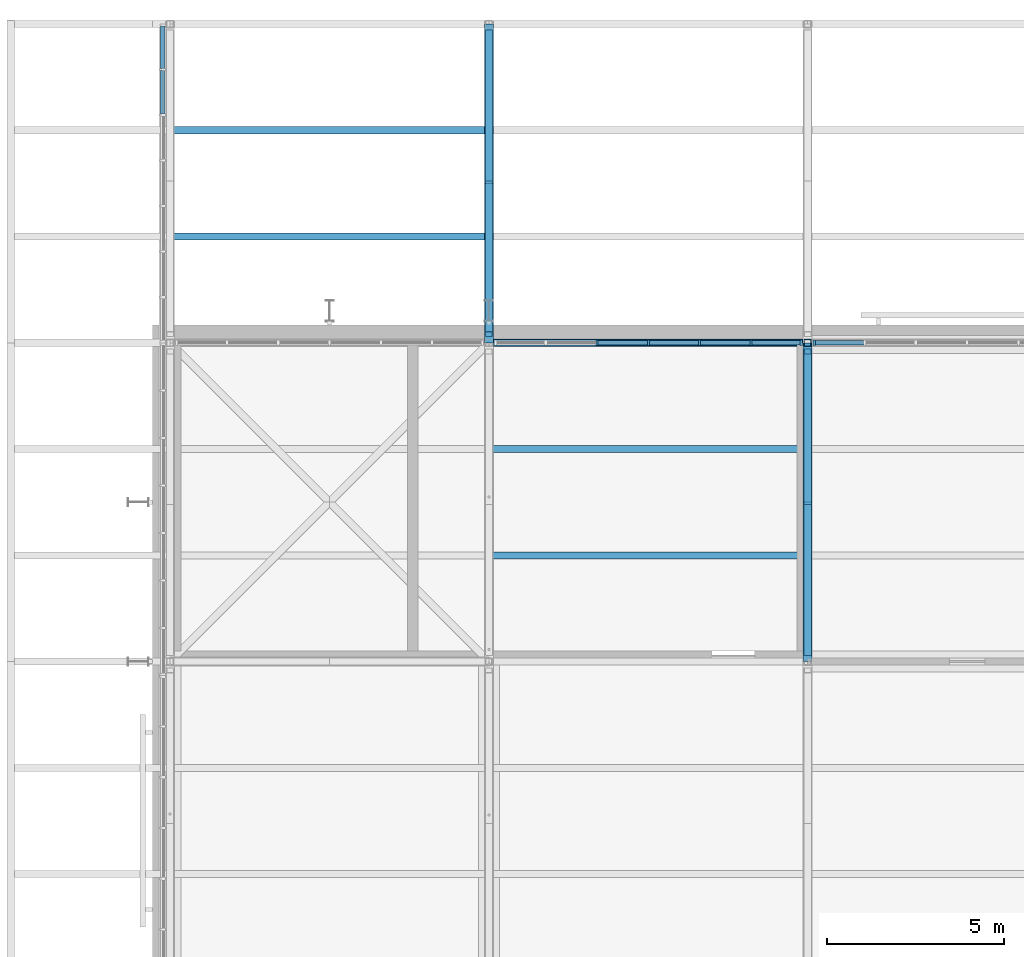
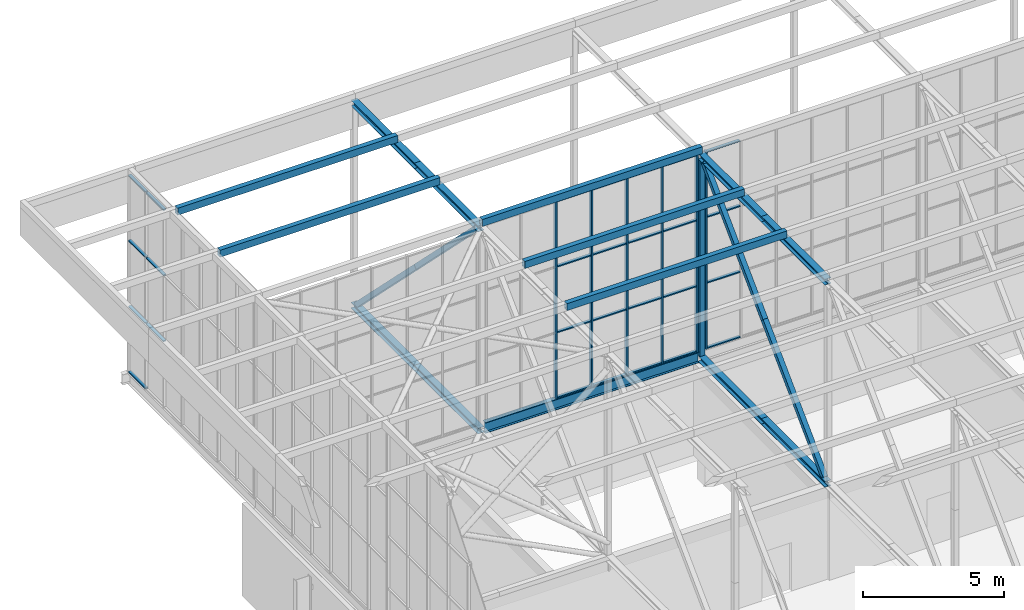
# One storey, part 114 of 646: 52 members, 1 beam, 3 elements without a shape of their own.
"""IFC4 building model written with IfcOpenShell, lengths in metres."""

from ifc_helpers import new_model, si_unit, direction, frame, origin, origin_2d, place, context, subcontext, project, spatial, rectangle, hollow_rectangle, i_section, extrude, material, material_profile, profile_set, type_object, element, aggregate, save


model = new_model("IFC4")

# Units and contexts
model_context = context("Model", 3, precision=1e-05, world=origin(), true_north=direction((0.0, 1.0)))
body_context = subcontext(model_context, "Body", "Model", "MODEL_VIEW")
ifc_project = project(units=[si_unit("LENGTHUNIT", "METRE"), si_unit("AREAUNIT", "SQUARE_METRE"), si_unit("VOLUMEUNIT", "CUBIC_METRE"), si_unit("PLANEANGLEUNIT", "RADIAN"), si_unit("MASSUNIT", "GRAM", prefix="KILO")], contexts=[model_context])

# Site, building, storey
site_placement = place(None, origin())
site = spatial("IfcSite", under=ifc_project, at=site_placement, CompositionType="ELEMENT")
building_placement = place(site_placement, origin())
building = spatial("IfcBuilding", under=site, at=building_placement, Name="Silverbay Arena", CompositionType="ELEMENT")
storey_placement = place(building_placement, frame((0.0, 0.0, 33.5)))
storey = spatial("IfcBuildingStorey", under=building, at=storey_placement, Name="L05", CompositionType="ELEMENT", Elevation=33.5)

# Members
ifc_material_1 = material(Name="Steel S355", Category="steel")
ifc_material_profile_1 = material_profile(ifc_material_1, i_section(OverallWidth=0.254638671875, OverallDepth=0.254150390625, WebThickness=0.008544921875, FlangeThickness=0.01416015625, at=origin_2d()), Name="UC 254x254x73")
ifc_profile_set_1 = profile_set([ifc_material_profile_1], Name="Steel S355")
member_type_1 = type_object("IfcMemberType", Name="Medium-span bottom chord UC 254x254x73", PredefinedType="CHORD", material=ifc_profile_set_1)
for number, where, z_axis, x_axis, name in (
    (1, (72.0, 135.0, 4.126953125), (0.0, 1.0, 0.0), (-1.0, 0.0, 0.0), "ROOF TRUSS 9 bottom chord 15a"),
    (2, (72.0, 139.5, 4.126953125), (0.0, 1.0, 0.0), (-1.0, 0.0, 0.0), "ROOF TRUSS 9 bottom chord 15b"),
):
    element("IfcMember", number, at=place(storey_placement, frame(where, z_axis=z_axis, x_axis=x_axis)), inside=storey, type_object=member_type_1, Name=name, PredefinedType="CHORD", context=body_context, shape_type="SweptSolid", body=[
        extrude(i_section(OverallWidth=0.254638671875, OverallDepth=0.254150390625, WebThickness=0.008544921875, FlangeThickness=0.01416015625, at=origin_2d()), origin(), (0.0, 0.0, 1.0), 4.5),
    ])
ifc_material_2 = material(Name="Steel S355", Category="steel")
ifc_material_profile_2 = material_profile(ifc_material_2, i_section(OverallWidth=0.254638671875, OverallDepth=0.254150390625, WebThickness=0.008544921875, FlangeThickness=0.01416015625, at=origin_2d()), Name="UC 254x254x73")
ifc_profile_set_2 = profile_set([ifc_material_profile_2], Name="Steel S355")
member_type_2 = type_object("IfcMemberType", Name="Medium-span top chord UC 254x254x73", PredefinedType="CHORD", material=ifc_profile_set_2)
for number, where, z_axis, x_axis, name in (
    (3, (72.0, 135.0, 12.873046875), (0.0, 1.0, 0.0), (-1.0, 0.0, 0.0), "ROOF TRUSS 9 top chord 15a"),
    (4, (72.0, 139.5, 12.873046875), (0.0, 1.0, 0.0), (-1.0, 0.0, 0.0), "ROOF TRUSS 9 top chord 15b"),
):
    element("IfcMember", number, at=place(storey_placement, frame(where, z_axis=z_axis, x_axis=x_axis)), inside=storey, type_object=member_type_2, Name=name, PredefinedType="CHORD", context=body_context, shape_type="SweptSolid", body=[
        extrude(i_section(OverallWidth=0.254638671875, OverallDepth=0.254150390625, WebThickness=0.008544921875, FlangeThickness=0.01416015625, at=origin_2d()), origin(), (0.0, 0.0, 1.0), 4.5),
    ])
ifc_material_3 = material(Name="Steel S355", Category="steel")
ifc_material_profile_3 = material_profile(ifc_material_3, hollow_rectangle(XDim=0.199951171875, YDim=0.199951171875, WallThickness=0.008056640625, at=origin_2d()), Name="SHS 200x200x8")
ifc_profile_set_3 = profile_set([ifc_material_profile_3], Name="Steel S355")
member_type_3 = type_object("IfcMemberType", Name="Medium-span truss diagonal SHS 200x200x8", PredefinedType="BRACE", material=ifc_profile_set_3)
for number, where, z_axis, x_axis, name in (
    (5, (72.0, 143.75439453125, 12.745849609375), (0.0, -0.70781724692, -0.706395600894), (1.0, 0.0, 0.0), "ROOF TRUSS 9 diagonal 15a"),
    (6, (72.0, 139.5, 8.5), (0.0, -0.70781724692, -0.706395600894), (1.0, 0.0, 0.0), "ROOF TRUSS 9 diagonal 15b"),
):
    element("IfcMember", number, at=place(storey_placement, frame(where, z_axis=z_axis, x_axis=x_axis)), inside=storey, type_object=member_type_3, Name=name, PredefinedType="BRACE", context=body_context, shape_type="SweptSolid", body=[
        extrude(hollow_rectangle(XDim=0.199951171875, YDim=0.199951171875, WallThickness=0.008056640625, at=origin_2d()), origin(), (0.0, 0.0, 1.0), 6.010498046875),
    ])
ifc_material_4 = material(Name="Steel S355", Category="steel")
ifc_material_profile_4 = material_profile(ifc_material_4, hollow_rectangle(XDim=0.199951171875, YDim=0.199951171875, WallThickness=0.008056640625, at=origin_2d()), Name="SHS 200x200x8")
ifc_profile_set_4 = profile_set([ifc_material_profile_4], Name="Steel S355")
member_type_4 = type_object("IfcMemberType", Name="Medium-span truss vertical SHS 200x200x8", PredefinedType="STRUT", material=ifc_profile_set_4)
for number, where, z_axis, x_axis, name in (
    (7, (72.0, 144.0, 4.254150390625), (0.0, 0.0, 1.0), (1.0, 0.0, 0.0), "ROOF TRUSS 9 vertical 16a"),
    (8, (72.0, 144.0, 8.5), (0.0, 0.0, 1.0), (1.0, 0.0, 0.0), "ROOF TRUSS 9 vertical 16b"),
):
    element("IfcMember", number, at=place(storey_placement, frame(where, z_axis=z_axis, x_axis=x_axis)), inside=storey, type_object=member_type_4, Name=name, PredefinedType="STRUT", context=body_context, shape_type="SweptSolid", body=[
        extrude(hollow_rectangle(XDim=0.199951171875, YDim=0.199951171875, WallThickness=0.008056640625, at=origin_2d()), origin(), (0.0, 0.0, 1.0), 4.245849609375),
    ])

# Curtain wall, members
ifc_material_5 = material(Name="Aluminium framed glazing", Category="aluminium")
curtain_wall_type_1 = type_object("IfcCurtainWallType", Name="Curtain wall clerestory 8693 x 8540", PredefinedType="NOTDEFINED", material=ifc_material_5)
curtain_wall_1_placement = place(storey_placement, origin())
curtain_wall_1 = element("IfcCurtainWall", 9, at=curtain_wall_1_placement, inside=storey, type_object=curtain_wall_type_1, Name="ROOF CLERESTORY CURTAIN WALL north bay 02", PredefinedType="NOTDEFINED")
ifc_material_6 = material(Name="Aluminium", Category="aluminium")
ifc_material_profile_5 = material_profile(ifc_material_6, rectangle(XDim=0.159912109375, YDim=0.06005859375, at=origin_2d()), Name="Mullion 60 x 160")
ifc_profile_set_5 = profile_set([ifc_material_profile_5], Name="Aluminium")
member_type_5 = type_object("IfcMemberType", Name="Mullion 60 x 160", PredefinedType="MULLION", material=ifc_profile_set_5)
member_1_placement = place(storey_placement, frame((66.05126953125, 144.0, 4.4599609375), z_axis=(0.0, 0.0, 1.0), x_axis=(0.0, 1.0, 0.0)))
member_1 = element("IfcMember", 10, at=member_1_placement, type_object=member_type_5, Name="CW55 mullion 3", PredefinedType="MULLION", context=body_context, shape_type="SweptSolid", body=[
    extrude(rectangle(XDim=0.159912109375, YDim=0.06005859375, at=origin_2d()), origin(), (0.0, 0.0, 1.0), 8.5400390625),
])
member_2_placement = place(storey_placement, frame((67.5, 144.0, 4.4599609375), z_axis=(0.0, 0.0, 1.0), x_axis=(0.0, 1.0, 0.0)))
member_2 = element("IfcMember", 11, at=member_2_placement, type_object=member_type_5, Name="CW55 mullion 4", PredefinedType="MULLION", context=body_context, shape_type="SweptSolid", body=[
    extrude(rectangle(XDim=0.159912109375, YDim=0.06005859375, at=origin_2d()), origin(), (0.0, 0.0, 1.0), 8.5400390625),
])
member_3_placement = place(storey_placement, frame((68.94873046875, 144.0, 4.4599609375), z_axis=(0.0, 0.0, 1.0), x_axis=(0.0, 1.0, 0.0)))
member_3 = element("IfcMember", 12, at=member_3_placement, type_object=member_type_5, Name="CW55 mullion 5", PredefinedType="MULLION", context=body_context, shape_type="SweptSolid", body=[
    extrude(rectangle(XDim=0.159912109375, YDim=0.06005859375, at=origin_2d()), origin(), (0.0, 0.0, 1.0), 8.5400390625),
])
member_4_placement = place(storey_placement, frame((70.3974609375, 144.0, 4.4599609375), z_axis=(0.0, 0.0, 1.0), x_axis=(0.0, 1.0, 0.0)))
member_4 = element("IfcMember", 13, at=member_4_placement, type_object=member_type_5, Name="CW55 mullion 6", PredefinedType="MULLION", context=body_context, shape_type="SweptSolid", body=[
    extrude(rectangle(XDim=0.159912109375, YDim=0.06005859375, at=origin_2d()), origin(), (0.0, 0.0, 1.0), 8.5400390625),
])
member_5_placement = place(storey_placement, frame((71.81640625, 144.0, 4.4599609375), z_axis=(0.0, 0.0, 1.0), x_axis=(0.0, 1.0, 0.0)))
member_5 = element("IfcMember", 14, at=member_5_placement, type_object=member_type_5, Name="CW55 mullion 7", PredefinedType="MULLION", context=body_context, shape_type="SweptSolid", body=[
    extrude(rectangle(XDim=0.159912109375, YDim=0.06005859375, at=origin_2d()), origin(), (0.0, 0.0, 1.0), 8.5400390625),
])

# Curtain wall, member
curtain_wall_2_placement = place(storey_placement, origin())
curtain_wall_2 = element("IfcCurtainWall", 15, at=curtain_wall_2_placement, inside=storey, type_object=curtain_wall_type_1, Name="ROOF CLERESTORY CURTAIN WALL north bay 03", PredefinedType="NOTDEFINED")
member_6_placement = place(storey_placement, frame((72.18359375, 144.0, 4.4599609375), z_axis=(0.0, 0.0, 1.0), x_axis=(0.0, 1.0, 0.0)))
member_6 = element("IfcMember", 16, at=member_6_placement, type_object=member_type_5, Name="CW55 mullion 1", PredefinedType="MULLION", context=body_context, shape_type="SweptSolid", body=[
    extrude(rectangle(XDim=0.159912109375, YDim=0.06005859375, at=origin_2d()), origin(), (0.0, 0.0, 1.0), 8.5400390625),
])

# Members
ifc_material_7 = material(Name="Steel S355", Category="steel")
ifc_material_profile_6 = material_profile(ifc_material_7, hollow_rectangle(XDim=0.199951171875, YDim=0.300048828125, WallThickness=0.00634765625, at=origin_2d()), Name="RHS 300x200x6.3")
ifc_profile_set_6 = profile_set([ifc_material_profile_6], Name="Steel S355")
member_type_6 = type_object("IfcMemberType", Name="Purlin RHS 300x200x6.3", PredefinedType="PURLIN", material=ifc_profile_set_6)
member_7_placement = place(storey_placement, frame((63.0, 138.0, 13.14990234375), z_axis=(1.0, 0.0, 0.0), x_axis=(0.0, 1.0, 0.0)))
element("IfcMember", 17, at=member_7_placement, inside=storey, type_object=member_type_6, Name="ROOF PURLIN 8-9 line 44", PredefinedType="PURLIN", context=body_context, shape_type="SweptSolid", body=[
    extrude(hollow_rectangle(XDim=0.199951171875, YDim=0.300048828125, WallThickness=0.00634765625, at=origin_2d()), origin(), (0.0, 0.0, 1.0), 9.0),
])
ifc_material_8 = material(Name="Steel S355", Category="steel")
ifc_material_profile_7 = material_profile(ifc_material_8, hollow_rectangle(XDim=0.199951171875, YDim=0.300048828125, WallThickness=0.008056640625, at=origin_2d()), Name="RHS 300x200x8")
ifc_profile_set_7 = profile_set([ifc_material_profile_7], Name="Steel S355")
member_type_7 = type_object("IfcMemberType", Name="Purlin RHS 300x200x8", PredefinedType="PURLIN", material=ifc_profile_set_7)
for number, where, z_axis, x_axis, name in (
    (18, (54.0, 147.0, 13.14990234375), (1.0, 0.0, 0.0), (0.0, 1.0, 0.0), "ROOF PURLIN 7-8 line 47"),
    (19, (54.0, 150.0, 13.14990234375), (1.0, 0.0, 0.0), (0.0, 1.0, 0.0), "ROOF PURLIN 7-8 line 48"),
    (20, (63.0, 141.0, 13.14990234375), (1.0, 0.0, 0.0), (0.0, 1.0, 0.0), "ROOF PURLIN 8-9 line 45"),
    (21, (63.0, 144.0, 13.14990234375), (1.0, 0.0, 0.0), (0.0, 1.0, 0.0), "ROOF PURLIN 8-9 line 46"),
):
    element("IfcMember", number, at=place(storey_placement, frame(where, z_axis=z_axis, x_axis=x_axis)), inside=storey, type_object=member_type_7, Name=name, PredefinedType="PURLIN", context=body_context, shape_type="SweptSolid", body=[
        extrude(hollow_rectangle(XDim=0.199951171875, YDim=0.300048828125, WallThickness=0.008056640625, at=origin_2d()), origin(), (0.0, 0.0, 1.0), 9.0),
    ])

# Beam
ifc_material_9 = material(Name="Steel S355", Category="steel")
ifc_material_profile_8 = material_profile(ifc_material_9, i_section(OverallWidth=0.19140625, OverallDepth=0.4599609375, WebThickness=0.010009765625, FlangeThickness=0.01611328125, at=origin_2d()), Name="UB 457x191x82")
ifc_profile_set_8 = profile_set([ifc_material_profile_8], Name="Steel S355")
beam_type = type_object("IfcBeamType", Name="Ring beam UB 457x191x82", PredefinedType="BEAM", material=ifc_profile_set_8)
beam_placement = place(storey_placement, frame((63.127197265625, 144.0, 4.22998046875), z_axis=(1.0, 0.0, 0.0), x_axis=(0.0, 1.0, 0.0)))
element("IfcBeam", 22, at=beam_placement, inside=storey, type_object=beam_type, Name="RING BEAM north facade 8-9", PredefinedType="BEAM", context=body_context, shape_type="SweptSolid", body=[
    extrude(i_section(OverallWidth=0.19140625, OverallDepth=0.4599609375, WebThickness=0.010009765625, FlangeThickness=0.01611328125, at=origin_2d()), origin(), (0.0, 0.0, 1.0), 8.74560546875),
])

# Members
ifc_material_10 = material(Name="Steel S355", Category="steel")
ifc_material_profile_9 = material_profile(ifc_material_10, i_section(OverallWidth=0.254638671875, OverallDepth=0.254150390625, WebThickness=0.008544921875, FlangeThickness=0.01416015625, at=origin_2d()), Name="UC 254x254x73")
ifc_profile_set_9 = profile_set([ifc_material_profile_9], Name="Steel S355")
member_type_8 = type_object("IfcMemberType", Name="Short-span bottom chord UC 254x254x73", PredefinedType="CHORD", material=ifc_profile_set_9)
for number, where, z_axis, x_axis, name in (
    (23, (63.0, 144.0, 4.126953125), (0.0, 1.0, 0.0), (-1.0, 0.0, 0.0), "ROOF TRUSS 8 bottom chord 16a"),
    (24, (63.0, 148.5, 4.126953125), (0.0, 1.0, 0.0), (-1.0, 0.0, 0.0), "ROOF TRUSS 8 bottom chord 16b"),
):
    element("IfcMember", number, at=place(storey_placement, frame(where, z_axis=z_axis, x_axis=x_axis)), inside=storey, type_object=member_type_8, Name=name, PredefinedType="CHORD", context=body_context, shape_type="SweptSolid", body=[
        extrude(i_section(OverallWidth=0.254638671875, OverallDepth=0.254150390625, WebThickness=0.008544921875, FlangeThickness=0.01416015625, at=origin_2d()), origin(), (0.0, 0.0, 1.0), 4.5),
    ])
ifc_material_11 = material(Name="Steel S355", Category="steel")
ifc_material_profile_10 = material_profile(ifc_material_11, i_section(OverallWidth=0.254638671875, OverallDepth=0.254150390625, WebThickness=0.008544921875, FlangeThickness=0.01416015625, at=origin_2d()), Name="UC 254x254x73")
ifc_profile_set_10 = profile_set([ifc_material_profile_10], Name="Steel S355")
member_type_9 = type_object("IfcMemberType", Name="Short-span top chord UC 254x254x73", PredefinedType="CHORD", material=ifc_profile_set_10)
for number, where, z_axis, x_axis, name in (
    (25, (63.0, 144.0, 12.873046875), (0.0, 1.0, 0.0), (-1.0, 0.0, 0.0), "ROOF TRUSS 8 top chord 16a"),
    (26, (63.0, 148.5, 12.873046875), (0.0, 1.0, 0.0), (-1.0, 0.0, 0.0), "ROOF TRUSS 8 top chord 16b"),
):
    element("IfcMember", number, at=place(storey_placement, frame(where, z_axis=z_axis, x_axis=x_axis)), inside=storey, type_object=member_type_9, Name=name, PredefinedType="CHORD", context=body_context, shape_type="SweptSolid", body=[
        extrude(i_section(OverallWidth=0.254638671875, OverallDepth=0.254150390625, WebThickness=0.008544921875, FlangeThickness=0.01416015625, at=origin_2d()), origin(), (0.0, 0.0, 1.0), 4.5),
    ])
ifc_material_12 = material(Name="Steel S355", Category="steel")
ifc_material_profile_11 = material_profile(ifc_material_12, hollow_rectangle(XDim=0.199951171875, YDim=0.199951171875, WallThickness=0.008056640625, at=origin_2d()), Name="SHS 200x200x8")
ifc_profile_set_11 = profile_set([ifc_material_profile_11], Name="Steel S355")
member_type_10 = type_object("IfcMemberType", Name="Short-span truss diagonal SHS 200x200x8", PredefinedType="BRACE", material=ifc_profile_set_11)
for number, where, z_axis, x_axis, name in (
    (27, (63.0, 144.24560546875, 12.745849609375), (0.0, 0.70781724692, -0.706395600894), (-1.0, 0.0, 0.0), "ROOF TRUSS 8 diagonal 16a"),
    (28, (63.0, 148.5, 8.5), (0.0, 0.70781724692, -0.706395600894), (-1.0, 0.0, 0.0), "ROOF TRUSS 8 diagonal 16b"),
):
    element("IfcMember", number, at=place(storey_placement, frame(where, z_axis=z_axis, x_axis=x_axis)), inside=storey, type_object=member_type_10, Name=name, PredefinedType="BRACE", context=body_context, shape_type="SweptSolid", body=[
        extrude(hollow_rectangle(XDim=0.199951171875, YDim=0.199951171875, WallThickness=0.008056640625, at=origin_2d()), origin(), (0.0, 0.0, 1.0), 6.010498046875),
    ])

# Member
ifc_material_13 = material(Name="Aluminium", Category="aluminium")
ifc_material_profile_12 = material_profile(ifc_material_13, rectangle(XDim=0.1201171875, YDim=0.050048828125, at=origin_2d()), Name="Transom 50 x 120")
ifc_profile_set_12 = profile_set([ifc_material_profile_12], Name="Aluminium")
member_type_11 = type_object("IfcMemberType", Name="Transom 50 x 120", PredefinedType="USERDEFINED", material=ifc_profile_set_12)
member_8_placement = place(storey_placement, frame((66.081298828125, 144.0, 4.485107421875), z_axis=(1.0, 0.0, 0.0), x_axis=(0.0, 1.0, 0.0)))
member_8 = element("IfcMember", 29, at=member_8_placement, type_object=member_type_11, Name="CW55 transom 3.1", ObjectType="TRANSOM", PredefinedType="USERDEFINED", context=body_context, shape_type="SweptSolid", body=[
    extrude(rectangle(XDim=0.1201171875, YDim=0.050048828125, at=origin_2d()), origin(), (0.0, 0.0, 1.0), 1.388671875),
])

member_9_placement = place(storey_placement, frame((66.081298828125, 144.0, 7.306640625), z_axis=(1.0, 0.0, 0.0), x_axis=(0.0, 1.0, 0.0)))
member_9 = element("IfcMember", 30, at=member_9_placement, type_object=member_type_11, Name="CW55 transom 3.2", ObjectType="TRANSOM", PredefinedType="USERDEFINED", context=body_context, shape_type="SweptSolid", body=[
    extrude(rectangle(XDim=0.1201171875, YDim=0.050048828125, at=origin_2d()), origin(), (0.0, 0.0, 1.0), 1.388671875),
])

member_10_placement = place(storey_placement, frame((66.081298828125, 144.0, 10.1533203125), z_axis=(1.0, 0.0, 0.0), x_axis=(0.0, 1.0, 0.0)))
member_10 = element("IfcMember", 31, at=member_10_placement, type_object=member_type_11, Name="CW55 transom 3.3", ObjectType="TRANSOM", PredefinedType="USERDEFINED", context=body_context, shape_type="SweptSolid", body=[
    extrude(rectangle(XDim=0.1201171875, YDim=0.050048828125, at=origin_2d()), origin(), (0.0, 0.0, 1.0), 1.388671875),
])

member_11_placement = place(storey_placement, frame((66.081298828125, 144.0, 12.97509765625), z_axis=(1.0, 0.0, 0.0), x_axis=(0.0, 1.0, 0.0)))
member_11 = element("IfcMember", 32, at=member_11_placement, type_object=member_type_11, Name="CW55 transom 3.4", ObjectType="TRANSOM", PredefinedType="USERDEFINED", context=body_context, shape_type="SweptSolid", body=[
    extrude(rectangle(XDim=0.1201171875, YDim=0.050048828125, at=origin_2d()), origin(), (0.0, 0.0, 1.0), 1.388671875),
])

member_12_placement = place(storey_placement, frame((67.530029296875, 144.0, 4.485107421875), z_axis=(1.0, 0.0, 0.0), x_axis=(0.0, 1.0, 0.0)))
member_12 = element("IfcMember", 33, at=member_12_placement, type_object=member_type_11, Name="CW55 transom 4.1", ObjectType="TRANSOM", PredefinedType="USERDEFINED", context=body_context, shape_type="SweptSolid", body=[
    extrude(rectangle(XDim=0.1201171875, YDim=0.050048828125, at=origin_2d()), origin(), (0.0, 0.0, 1.0), 1.388671875),
])

member_13_placement = place(storey_placement, frame((67.530029296875, 144.0, 7.306640625), z_axis=(1.0, 0.0, 0.0), x_axis=(0.0, 1.0, 0.0)))
member_13 = element("IfcMember", 34, at=member_13_placement, type_object=member_type_11, Name="CW55 transom 4.2", ObjectType="TRANSOM", PredefinedType="USERDEFINED", context=body_context, shape_type="SweptSolid", body=[
    extrude(rectangle(XDim=0.1201171875, YDim=0.050048828125, at=origin_2d()), origin(), (0.0, 0.0, 1.0), 1.388671875),
])

member_14_placement = place(storey_placement, frame((67.530029296875, 144.0, 10.1533203125), z_axis=(1.0, 0.0, 0.0), x_axis=(0.0, 1.0, 0.0)))
member_14 = element("IfcMember", 35, at=member_14_placement, type_object=member_type_11, Name="CW55 transom 4.3", ObjectType="TRANSOM", PredefinedType="USERDEFINED", context=body_context, shape_type="SweptSolid", body=[
    extrude(rectangle(XDim=0.1201171875, YDim=0.050048828125, at=origin_2d()), origin(), (0.0, 0.0, 1.0), 1.388671875),
])

member_15_placement = place(storey_placement, frame((67.530029296875, 144.0, 12.97509765625), z_axis=(1.0, 0.0, 0.0), x_axis=(0.0, 1.0, 0.0)))
member_15 = element("IfcMember", 36, at=member_15_placement, type_object=member_type_11, Name="CW55 transom 4.4", ObjectType="TRANSOM", PredefinedType="USERDEFINED", context=body_context, shape_type="SweptSolid", body=[
    extrude(rectangle(XDim=0.1201171875, YDim=0.050048828125, at=origin_2d()), origin(), (0.0, 0.0, 1.0), 1.388671875),
])

member_16_placement = place(storey_placement, frame((68.978759765625, 144.0, 4.485107421875), z_axis=(1.0, 0.0, 0.0), x_axis=(0.0, 1.0, 0.0)))
member_16 = element("IfcMember", 37, at=member_16_placement, type_object=member_type_11, Name="CW55 transom 5.1", ObjectType="TRANSOM", PredefinedType="USERDEFINED", context=body_context, shape_type="SweptSolid", body=[
    extrude(rectangle(XDim=0.1201171875, YDim=0.050048828125, at=origin_2d()), origin(), (0.0, 0.0, 1.0), 1.388671875),
])

member_17_placement = place(storey_placement, frame((68.978759765625, 144.0, 7.306640625), z_axis=(1.0, 0.0, 0.0), x_axis=(0.0, 1.0, 0.0)))
member_17 = element("IfcMember", 38, at=member_17_placement, type_object=member_type_11, Name="CW55 transom 5.2", ObjectType="TRANSOM", PredefinedType="USERDEFINED", context=body_context, shape_type="SweptSolid", body=[
    extrude(rectangle(XDim=0.1201171875, YDim=0.050048828125, at=origin_2d()), origin(), (0.0, 0.0, 1.0), 1.388671875),
])

member_18_placement = place(storey_placement, frame((68.978759765625, 144.0, 10.1533203125), z_axis=(1.0, 0.0, 0.0), x_axis=(0.0, 1.0, 0.0)))
member_18 = element("IfcMember", 39, at=member_18_placement, type_object=member_type_11, Name="CW55 transom 5.3", ObjectType="TRANSOM", PredefinedType="USERDEFINED", context=body_context, shape_type="SweptSolid", body=[
    extrude(rectangle(XDim=0.1201171875, YDim=0.050048828125, at=origin_2d()), origin(), (0.0, 0.0, 1.0), 1.388671875),
])

member_19_placement = place(storey_placement, frame((68.978759765625, 144.0, 12.97509765625), z_axis=(1.0, 0.0, 0.0), x_axis=(0.0, 1.0, 0.0)))
member_19 = element("IfcMember", 40, at=member_19_placement, type_object=member_type_11, Name="CW55 transom 5.4", ObjectType="TRANSOM", PredefinedType="USERDEFINED", context=body_context, shape_type="SweptSolid", body=[
    extrude(rectangle(XDim=0.1201171875, YDim=0.050048828125, at=origin_2d()), origin(), (0.0, 0.0, 1.0), 1.388671875),
])

member_20_placement = place(storey_placement, frame((70.427490234375, 144.0, 4.485107421875), z_axis=(1.0, 0.0, 0.0), x_axis=(0.0, 1.0, 0.0)))
member_20 = element("IfcMember", 41, at=member_20_placement, type_object=member_type_11, Name="CW55 transom 6.1", ObjectType="TRANSOM", PredefinedType="USERDEFINED", context=body_context, shape_type="SweptSolid", body=[
    extrude(rectangle(XDim=0.1201171875, YDim=0.050048828125, at=origin_2d()), origin(), (0.0, 0.0, 1.0), 1.35888671875),
])

member_21_placement = place(storey_placement, frame((70.427490234375, 144.0, 7.306640625), z_axis=(1.0, 0.0, 0.0), x_axis=(0.0, 1.0, 0.0)))
member_21 = element("IfcMember", 42, at=member_21_placement, type_object=member_type_11, Name="CW55 transom 6.2", ObjectType="TRANSOM", PredefinedType="USERDEFINED", context=body_context, shape_type="SweptSolid", body=[
    extrude(rectangle(XDim=0.1201171875, YDim=0.050048828125, at=origin_2d()), origin(), (0.0, 0.0, 1.0), 1.35888671875),
])

member_22_placement = place(storey_placement, frame((70.427490234375, 144.0, 10.1533203125), z_axis=(1.0, 0.0, 0.0), x_axis=(0.0, 1.0, 0.0)))
member_22 = element("IfcMember", 43, at=member_22_placement, type_object=member_type_11, Name="CW55 transom 6.3", ObjectType="TRANSOM", PredefinedType="USERDEFINED", context=body_context, shape_type="SweptSolid", body=[
    extrude(rectangle(XDim=0.1201171875, YDim=0.050048828125, at=origin_2d()), origin(), (0.0, 0.0, 1.0), 1.35888671875),
])

member_23_placement = place(storey_placement, frame((70.427490234375, 144.0, 12.97509765625), z_axis=(1.0, 0.0, 0.0), x_axis=(0.0, 1.0, 0.0)))
member_23 = element("IfcMember", 44, at=member_23_placement, type_object=member_type_11, Name="CW55 transom 6.4", ObjectType="TRANSOM", PredefinedType="USERDEFINED", context=body_context, shape_type="SweptSolid", body=[
    extrude(rectangle(XDim=0.1201171875, YDim=0.050048828125, at=origin_2d()), origin(), (0.0, 0.0, 1.0), 1.35888671875),
])

aggregate(curtain_wall_1, [member_1, member_2, member_3, member_4, member_5, member_8, member_9, member_10, member_11, member_12, member_13, member_14, member_15, member_16, member_17, member_18, member_19, member_20, member_21, member_22, member_23])

member_24_placement = place(storey_placement, frame((72.213623046875, 144.0, 4.485107421875), z_axis=(1.0, 0.0, 0.0), x_axis=(0.0, 1.0, 0.0)))
member_24 = element("IfcMember", 45, at=member_24_placement, type_object=member_type_11, Name="CW55 transom 1.1", ObjectType="TRANSOM", PredefinedType="USERDEFINED", context=body_context, shape_type="SweptSolid", body=[
    extrude(rectangle(XDim=0.1201171875, YDim=0.050048828125, at=origin_2d()), origin(), (0.0, 0.0, 1.0), 1.35888671875),
])

member_25_placement = place(storey_placement, frame((72.213623046875, 144.0, 7.306640625), z_axis=(1.0, 0.0, 0.0), x_axis=(0.0, 1.0, 0.0)))
member_25 = element("IfcMember", 46, at=member_25_placement, type_object=member_type_11, Name="CW55 transom 1.2", ObjectType="TRANSOM", PredefinedType="USERDEFINED", context=body_context, shape_type="SweptSolid", body=[
    extrude(rectangle(XDim=0.1201171875, YDim=0.050048828125, at=origin_2d()), origin(), (0.0, 0.0, 1.0), 1.35888671875),
])

member_26_placement = place(storey_placement, frame((72.213623046875, 144.0, 10.1533203125), z_axis=(1.0, 0.0, 0.0), x_axis=(0.0, 1.0, 0.0)))
member_26 = element("IfcMember", 47, at=member_26_placement, type_object=member_type_11, Name="CW55 transom 1.3", ObjectType="TRANSOM", PredefinedType="USERDEFINED", context=body_context, shape_type="SweptSolid", body=[
    extrude(rectangle(XDim=0.1201171875, YDim=0.050048828125, at=origin_2d()), origin(), (0.0, 0.0, 1.0), 1.35888671875),
])

member_27_placement = place(storey_placement, frame((72.213623046875, 144.0, 12.97509765625), z_axis=(1.0, 0.0, 0.0), x_axis=(0.0, 1.0, 0.0)))
member_27 = element("IfcMember", 48, at=member_27_placement, type_object=member_type_11, Name="CW55 transom 1.4", ObjectType="TRANSOM", PredefinedType="USERDEFINED", context=body_context, shape_type="SweptSolid", body=[
    extrude(rectangle(XDim=0.1201171875, YDim=0.050048828125, at=origin_2d()), origin(), (0.0, 0.0, 1.0), 1.35888671875),
])

aggregate(curtain_wall_2, [member_6, member_24, member_25, member_26, member_27])

# Curtain wall, members
ifc_material_14 = material(Name="Aluminium framed glazing", Category="aluminium")
curtain_wall_type_2 = type_object("IfcCurtainWallType", Name="Curtain wall clerestory 9000 x 8547", PredefinedType="NOTDEFINED", material=ifc_material_14)
curtain_wall_3_placement = place(storey_placement, origin())
curtain_wall_3 = element("IfcCurtainWall", 49, at=curtain_wall_3_placement, inside=storey, type_object=curtain_wall_type_2, Name="ROOF GABLE CLERESTORY CURTAIN WALL west bay 16", PredefinedType="NOTDEFINED")
member_28_placement = place(storey_placement, frame((53.7900390625, 150.45849609375, 7.30224609375), z_axis=(0.0, 1.0, 0.0), x_axis=(-1.0, 0.0, 0.0)))
member_28 = element("IfcMember", 50, at=member_28_placement, type_object=member_type_11, Name="CW57 transom 6.2", ObjectType="TRANSOM", PredefinedType="USERDEFINED", context=body_context, shape_type="SweptSolid", body=[
    extrude(rectangle(XDim=0.1201171875, YDim=0.050048828125, at=origin_2d()), origin(), (0.0, 0.0, 1.0), 1.225830078125),
])
member_29_placement = place(storey_placement, frame((53.7900390625, 150.45849609375, 10.151123046875), z_axis=(0.0, 1.0, 0.0), x_axis=(-1.0, 0.0, 0.0)))
member_29 = element("IfcMember", 51, at=member_29_placement, type_object=member_type_11, Name="CW57 transom 6.3", ObjectType="TRANSOM", PredefinedType="USERDEFINED", context=body_context, shape_type="SweptSolid", body=[
    extrude(rectangle(XDim=0.1201171875, YDim=0.050048828125, at=origin_2d()), origin(), (0.0, 0.0, 1.0), 1.225830078125),
])
member_30_placement = place(storey_placement, frame((53.7900390625, 150.45849609375, 12.97509765625), z_axis=(0.0, 1.0, 0.0), x_axis=(-1.0, 0.0, 0.0)))
member_30 = element("IfcMember", 52, at=member_30_placement, type_object=member_type_11, Name="CW57 transom 6.4", ObjectType="TRANSOM", PredefinedType="USERDEFINED", context=body_context, shape_type="SweptSolid", body=[
    extrude(rectangle(XDim=0.1201171875, YDim=0.050048828125, at=origin_2d()), origin(), (0.0, 0.0, 1.0), 1.225830078125),
])
member_31_placement = place(storey_placement, frame((53.7900390625, 151.744384765625, 4.478515625), z_axis=(0.0, 1.0, 0.0), x_axis=(-1.0, 0.0, 0.0)))
member_31 = element("IfcMember", 53, at=member_31_placement, type_object=member_type_11, Name="CW57 transom 7.1", ObjectType="TRANSOM", PredefinedType="USERDEFINED", context=body_context, shape_type="SweptSolid", body=[
    extrude(rectangle(XDim=0.1201171875, YDim=0.050048828125, at=origin_2d()), origin(), (0.0, 0.0, 1.0), 1.195556640625),
])
member_32_placement = place(storey_placement, frame((53.7900390625, 151.744384765625, 7.30224609375), z_axis=(0.0, 1.0, 0.0), x_axis=(-1.0, 0.0, 0.0)))
member_32 = element("IfcMember", 54, at=member_32_placement, type_object=member_type_11, Name="CW57 transom 7.2", ObjectType="TRANSOM", PredefinedType="USERDEFINED", context=body_context, shape_type="SweptSolid", body=[
    extrude(rectangle(XDim=0.1201171875, YDim=0.050048828125, at=origin_2d()), origin(), (0.0, 0.0, 1.0), 1.195556640625),
])
member_33_placement = place(storey_placement, frame((53.7900390625, 151.744384765625, 10.151123046875), z_axis=(0.0, 1.0, 0.0), x_axis=(-1.0, 0.0, 0.0)))
member_33 = element("IfcMember", 55, at=member_33_placement, type_object=member_type_11, Name="CW57 transom 7.3", ObjectType="TRANSOM", PredefinedType="USERDEFINED", context=body_context, shape_type="SweptSolid", body=[
    extrude(rectangle(XDim=0.1201171875, YDim=0.050048828125, at=origin_2d()), origin(), (0.0, 0.0, 1.0), 1.195556640625),
])
member_34_placement = place(storey_placement, frame((53.7900390625, 151.744384765625, 12.97509765625), z_axis=(0.0, 1.0, 0.0), x_axis=(-1.0, 0.0, 0.0)))
member_34 = element("IfcMember", 56, at=member_34_placement, type_object=member_type_11, Name="CW57 transom 7.4", ObjectType="TRANSOM", PredefinedType="USERDEFINED", context=body_context, shape_type="SweptSolid", body=[
    extrude(rectangle(XDim=0.1201171875, YDim=0.050048828125, at=origin_2d()), origin(), (0.0, 0.0, 1.0), 1.195556640625),
])
aggregate(curtain_wall_3, [member_28, member_29, member_30, member_31, member_32, member_33, member_34])

save(model, "model.ifc")
